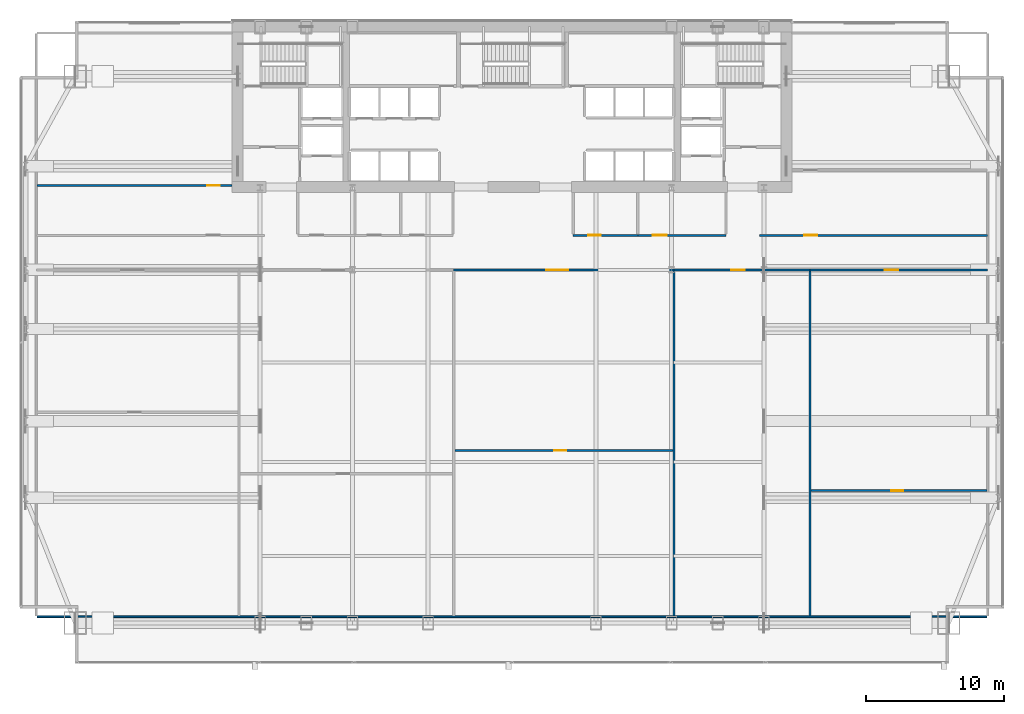
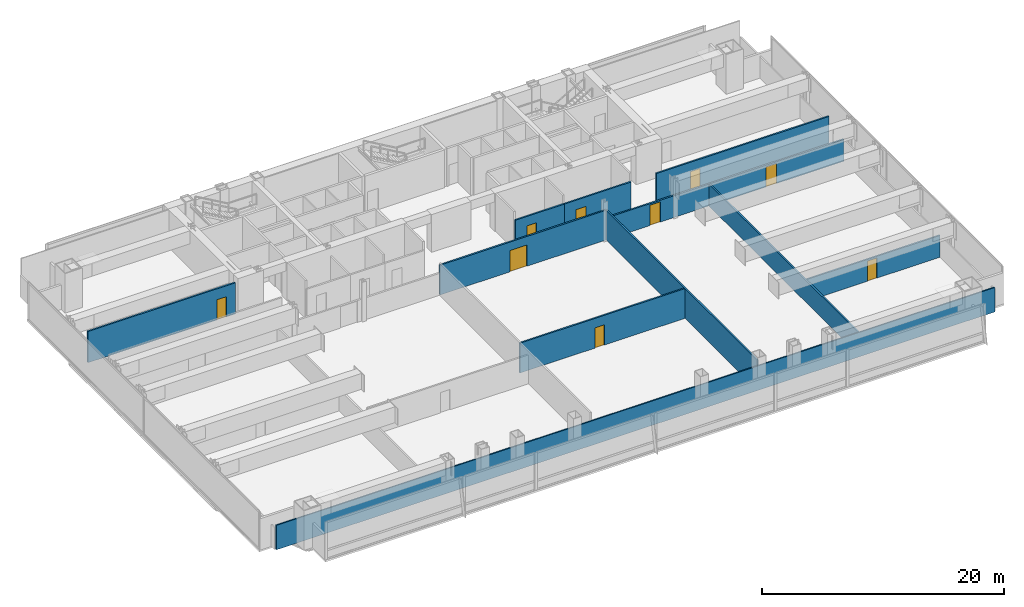
# One storey, part 27 of 32: 12 walls, 9 doors, 9 openings.
"""IFC4 building model written with IfcOpenShell, lengths in metres."""

from ifc_helpers import new_model, si_unit, direction, frame, frame_2d, origin, place, context, subcontext, project, spatial, rectangle, extrude, material, layer, layer_set, type_object, element, fill, save


model = new_model("IFC4")

# Units and contexts
model_context = context("Model", 3, precision=1e-05, world=origin(), true_north=direction((0.0, 1.0)))
body_context = subcontext(model_context, "Body", "Model", "MODEL_VIEW")
ifc_project = project(units=[si_unit("LENGTHUNIT", "METRE"), si_unit("AREAUNIT", "SQUARE_METRE"), si_unit("VOLUMEUNIT", "CUBIC_METRE"), si_unit("PLANEANGLEUNIT", "RADIAN"), si_unit("MASSUNIT", "GRAM", prefix="KILO")], contexts=[model_context])

# Site, building, storey
site_placement = place(None, origin())
site = spatial("IfcSite", under=ifc_project, at=site_placement, CompositionType="ELEMENT")
building_placement = place(site_placement, origin())
building = spatial("IfcBuilding", under=site, at=building_placement, Name="Khoronbel Lancet Exchange", CompositionType="ELEMENT")
storey_placement = place(building_placement, frame((0.0, 0.0, 77.800048828125)))
storey = spatial("IfcBuildingStorey", under=building, at=storey_placement, Name="L18", CompositionType="ELEMENT", Elevation=77.800048828125)

# Wall, opening, door
ifc_material_1 = material(Name="Acoustic Metal-Stud & Mineral-Wool Gypsum Partition 120 mm", Category="gypsum")
ifc_layer_1 = layer(ifc_material_1, 0.1201171875, Name="Acoustic Metal-Stud & Mineral-Wool Gypsum Partition 120 mm")
ifc_layer_set_1 = layer_set([ifc_layer_1], Name="Acoustic Metal-Stud & Mineral-Wool Gypsum Partition 120 mm")
wall_type_1 = type_object("IfcWallType", Name="WL-PRT120", PredefinedType="PARTITIONING", material=ifc_layer_set_1)
wall_1_placement = place(storey_placement, frame((2.094970703125, 41.800048828125, 0.0), z_axis=(0.0, 0.0, 1.0), x_axis=(1.0, 0.0, 0.0)))
wall_1 = element("IfcWall", 1, at=wall_1_placement, inside=storey, type_object=wall_type_1, Name="Level L18 interior partition PW-NW-H", PredefinedType="PARTITIONING", context=body_context, shape_type="SweptSolid", body=[
    extrude(rectangle(XDim=14.10498046875, YDim=0.14990234375, at=frame_2d((7.052490234375, 0.0))), origin(), (0.0, 0.0, 1.0), 3.159912109375),
])
opening_1_placement = place(wall_1_placement, frame((12.320068359375, 0.0, 0.0)))
opening_1 = element("IfcOpeningElement", 2, at=opening_1_placement, cuts=wall_1, Name="Opening D5", PredefinedType="OPENING", context=body_context, shape_type="SweptSolid", body=[
    extrude(rectangle(XDim=0.89990234375, YDim=2.050048828125, at=frame_2d((0.449951171875, 1.02490234375))), frame((0.0, 0.0849609375, 0.0), z_axis=(0.0, -1.0, 0.0), x_axis=(1.0, 0.0, 0.0)), (0.0, 0.0, 1.0), 0.169921875),
])
ifc_material_2 = material(Name="Acoustic Timber Pantry & Support Door", Category="wood")
door_type_1 = type_object("IfcDoorType", Name="DR-D5", OperationType="NOTDEFINED", PredefinedType="DOOR", material=ifc_material_2)
door_1_placement = place(opening_1_placement, origin())
door_1 = element("IfcDoor", 3, at=door_1_placement, inside=storey, type_object=door_type_1, Name="NW north room door L18-1", OperationType="SINGLE_SWING_LEFT", OverallHeight=2.050048828125, OverallWidth=0.89990234375, PredefinedType="DOOR", context=body_context, shape_type="SweptSolid", body=[
    extrude(rectangle(XDim=0.89990234375, YDim=2.050048828125, at=frame_2d((0.449951171875, 1.02490234375))), frame((0.0, 0.02490234375, 0.0), z_axis=(0.0, -1.0, 0.0), x_axis=(1.0, 0.0, 0.0)), (0.0, 0.0, 1.0), 0.050048828125),
])
fill(opening_1, door_1)

wall_2_placement = place(storey_placement, frame((32.31494140625, 22.63818359375, 0.0), z_axis=(0.0, 0.0, 1.0), x_axis=(1.0, 0.0, 0.0)))
wall_2 = element("IfcWall", 4, at=wall_2_placement, inside=storey, type_object=wall_type_1, Name="Level L18 interior partition PW-Z1S-H3", PredefinedType="PARTITIONING", context=body_context, shape_type="SweptSolid", body=[
    extrude(rectangle(XDim=15.78564453125, YDim=0.14990234375, at=frame_2d((7.892822265625, 0.0))), origin(), (0.0, 0.0, 1.0), 3.010009765625),
])
opening_2_placement = place(wall_2_placement, frame((7.175537109375, 0.0, 0.0)))
opening_2 = element("IfcOpeningElement", 5, at=opening_2_placement, cuts=wall_2, Name="Opening D5", PredefinedType="OPENING", context=body_context, shape_type="SweptSolid", body=[
    extrude(rectangle(XDim=0.89990234375, YDim=2.050048828125, at=frame_2d((0.449951171875, 1.02490234375))), frame((0.0, 0.0849609375, 0.0), z_axis=(0.0, -1.0, 0.0), x_axis=(1.0, 0.0, 0.0)), (0.0, 0.0, 1.0), 0.169921875),
])
door_2_placement = place(opening_2_placement, origin())
door_2 = element("IfcDoor", 6, at=door_2_placement, inside=storey, type_object=door_type_1, Name="Z1S inner door 3 L18-1", OperationType="SINGLE_SWING_LEFT", OverallHeight=2.050048828125, OverallWidth=0.89990234375, PredefinedType="DOOR", context=body_context, shape_type="SweptSolid", body=[
    extrude(rectangle(XDim=0.89990234375, YDim=2.050048828125, at=frame_2d((0.449951171875, 1.02490234375))), frame((0.0, 0.02490234375, 0.0), z_axis=(0.0, -1.0, 0.0), x_axis=(1.0, 0.0, 0.0)), (0.0, 0.0, 1.0), 0.050048828125),
])
fill(opening_2, door_2)

wall_3_placement = place(storey_placement, frame((58.0908203125, 19.72119140625, 0.0), z_axis=(0.0, 0.0, 1.0), x_axis=(1.0, 0.0, 0.0)))
wall_3 = element("IfcWall", 7, at=wall_3_placement, inside=storey, type_object=wall_type_1, Name="Level L18 interior partition PW-Z1S-H5", PredefinedType="PARTITIONING", context=body_context, shape_type="SweptSolid", body=[
    extrude(rectangle(XDim=12.714111328125, YDim=0.14990234375, at=frame_2d((6.35693359375, 0.0))), origin(), (0.0, 0.0, 1.0), 2.2099609375),
])
opening_3_placement = place(wall_3_placement, frame((5.78662109375, 0.0, 0.0)))
opening_3 = element("IfcOpeningElement", 8, at=opening_3_placement, cuts=wall_3, Name="Opening D5", PredefinedType="OPENING", context=body_context, shape_type="SweptSolid", body=[
    extrude(rectangle(XDim=0.89990234375, YDim=2.050048828125, at=frame_2d((0.449951171875, 1.02490234375))), frame((0.0, 0.0849609375, 0.0), z_axis=(0.0, -1.0, 0.0), x_axis=(1.0, 0.0, 0.0)), (0.0, 0.0, 1.0), 0.169921875),
])
door_3_placement = place(opening_3_placement, origin())
door_3 = element("IfcDoor", 9, at=door_3_placement, inside=storey, type_object=door_type_1, Name="Z1S inner door 5 L18-1", OperationType="SINGLE_SWING_RIGHT", OverallHeight=2.050048828125, OverallWidth=0.89990234375, PredefinedType="DOOR", context=body_context, shape_type="SweptSolid", body=[
    extrude(rectangle(XDim=0.89990234375, YDim=2.050048828125, at=frame_2d((0.449951171875, 1.02490234375))), frame((0.0, 0.02490234375, 0.0), z_axis=(0.0, -1.0, 0.0), x_axis=(1.0, 0.0, 0.0)), (0.0, 0.0, 1.0), 0.050048828125),
])
fill(opening_3, door_3)

# Wall
wall_4_placement = place(storey_placement, frame((2.094970703125, 10.60009765625, 0.0), z_axis=(0.0, 0.0, 1.0), x_axis=(1.0, 0.0, 0.0)))
element("IfcWall", 10, at=wall_4_placement, inside=storey, type_object=wall_type_1, Name="Level L18 interior partition PW-LIN-S", PredefinedType="PARTITIONING", context=body_context, shape_type="SweptSolid", body=[
    extrude(rectangle(XDim=68.7099609375, YDim=0.1201171875, at=frame_2d((34.35498046875, 0.0))), origin(), (0.0, 0.0, 1.0), 2.469970703125),
])

# Wall, opening, door
ifc_material_3 = material(Name="Fire-Rated Twin-Stud Acoustic Gypsum Partition 150 mm", Category="gypsum")
ifc_layer_2 = layer(ifc_material_3, 0.14990234375, Name="Fire-Rated Twin-Stud Acoustic Gypsum Partition 150 mm")
ifc_layer_set_2 = layer_set([ifc_layer_2], Name="Fire-Rated Twin-Stud Acoustic Gypsum Partition 150 mm")
wall_type_2 = type_object("IfcWallType", Name="WL-PRT150C", PredefinedType="PARTITIONING", material=ifc_layer_set_2)
wall_5_placement = place(storey_placement, frame((40.8798828125, 38.199951171875, 0.0), z_axis=(0.0, 0.0, 1.0), x_axis=(1.0, 0.0, 0.0)))
wall_5 = element("IfcWall", 11, at=wall_5_placement, inside=storey, type_object=wall_type_2, Name="Level L18 interior partition PW-NP-S1", PredefinedType="PARTITIONING", context=body_context, shape_type="SweptSolid", body=[
    extrude(rectangle(XDim=4.670166015625, YDim=0.14990234375, at=frame_2d((2.3349609375, 0.0))), origin(), (0.0, 0.0, 1.0), 3.010009765625),
])
opening_4_placement = place(wall_5_placement, frame((1.10009765625, 0.0, 0.0)))
opening_4 = element("IfcOpeningElement", 12, at=opening_4_placement, cuts=wall_5, Name="Opening D5", PredefinedType="OPENING", context=body_context, shape_type="SweptSolid", body=[
    extrude(rectangle(XDim=0.89990234375, YDim=2.050048828125, at=frame_2d((0.449951171875, 1.02490234375))), frame((0.0, 0.0849609375, 0.0), z_axis=(0.0, -1.0, 0.0), x_axis=(1.0, 0.0, 0.0)), (0.0, 0.0, 1.0), 0.169921875),
])
door_4_placement = place(opening_4_placement, origin())
door_4 = element("IfcDoor", 13, at=door_4_placement, inside=storey, type_object=door_type_1, Name="Floor refreshment pantry door L18-1", OperationType="SINGLE_SWING_LEFT", OverallHeight=2.050048828125, OverallWidth=0.89990234375, PredefinedType="DOOR", context=body_context, shape_type="SweptSolid", body=[
    extrude(rectangle(XDim=0.89990234375, YDim=2.050048828125, at=frame_2d((0.449951171875, 1.02490234375))), frame((0.0, 0.02490234375, 0.0), z_axis=(0.0, -1.0, 0.0), x_axis=(1.0, 0.0, 0.0)), (0.0, 0.0, 1.0), 0.050048828125),
])
fill(opening_4, door_4)

wall_6_placement = place(storey_placement, frame((45.550048828125, 38.199951171875, 0.0), z_axis=(0.0, 0.0, 1.0), x_axis=(1.0, 0.0, 0.0)))
wall_6 = element("IfcWall", 14, at=wall_6_placement, inside=storey, type_object=wall_type_2, Name="Level L18 interior partition PW-NP-S2", PredefinedType="PARTITIONING", context=body_context, shape_type="SweptSolid", body=[
    extrude(rectangle(XDim=6.39990234375, YDim=0.14990234375, at=frame_2d((3.199951171875, 0.0))), origin(), (0.0, 0.0, 1.0), 3.010009765625),
])
opening_5_placement = place(wall_6_placement, frame((1.10009765625, 0.0, 0.0)))
opening_5 = element("IfcOpeningElement", 15, at=opening_5_placement, cuts=wall_6, Name="Opening D2", PredefinedType="OPENING", context=body_context, shape_type="SweptSolid", body=[
    extrude(rectangle(XDim=1.0, YDim=2.050048828125, at=frame_2d((0.5, 1.02490234375))), frame((0.0, 0.0849609375, 0.0), z_axis=(0.0, -1.0, 0.0), x_axis=(1.0, 0.0, 0.0)), (0.0, 0.0, 1.0), 0.169921875),
])
ifc_material_4 = material(Name="Acoustic Veneered Timber & Bronze Frame Door", Category="wood")
door_type_2 = type_object("IfcDoorType", Name="DR-D2", OperationType="NOTDEFINED", PredefinedType="DOOR", material=ifc_material_4)
door_5_placement = place(opening_5_placement, origin())
door_5 = element("IfcDoor", 16, at=door_5_placement, inside=storey, type_object=door_type_2, Name="Floor store door L18-1", OperationType="SINGLE_SWING_RIGHT", OverallHeight=2.050048828125, OverallWidth=1.0, PredefinedType="DOOR", context=body_context, shape_type="SweptSolid", body=[
    extrude(rectangle(XDim=1.0, YDim=2.050048828125, at=frame_2d((0.5, 1.02490234375))), frame((0.0, 0.02490234375, 0.0), z_axis=(0.0, -1.0, 0.0), x_axis=(1.0, 0.0, 0.0)), (0.0, 0.0, 1.0), 0.050048828125),
])
fill(opening_5, door_5)

wall_7_placement = place(storey_placement, frame((54.35009765625, 38.199951171875, 0.0), z_axis=(0.0, 0.0, 1.0), x_axis=(1.0, 0.0, 0.0)))
wall_7 = element("IfcWall", 17, at=wall_7_placement, inside=storey, type_object=wall_type_2, Name="Level L18 interior partition PW-NE-S", PredefinedType="PARTITIONING", context=body_context, shape_type="SweptSolid", body=[
    extrude(rectangle(XDim=16.52001953125, YDim=0.14990234375, at=frame_2d((8.260009765625, 0.0))), origin(), (0.0, 0.0, 1.0), 3.010009765625),
])
opening_6_placement = place(wall_7_placement, frame((3.25, 0.0, 0.0)))
opening_6 = element("IfcOpeningElement", 18, at=opening_6_placement, cuts=wall_7, Name="Opening D1", PredefinedType="OPENING", context=body_context, shape_type="SweptSolid", body=[
    extrude(rectangle(XDim=0.949951171875, YDim=2.050048828125, at=frame_2d((0.47509765625, 1.02490234375))), frame((0.0, 0.0849609375, 0.0), z_axis=(0.0, -1.0, 0.0), x_axis=(1.0, 0.0, 0.0)), (0.0, 0.0, 1.0), 0.169921875),
])
door_type_3 = type_object("IfcDoorType", Name="DR-D1", OperationType="NOTDEFINED", PredefinedType="DOOR", material=ifc_material_4)
door_6_placement = place(opening_6_placement, origin())
door_6 = element("IfcDoor", 19, at=door_6_placement, inside=storey, type_object=door_type_3, Name="NE corner room door L18-1", OperationType="SINGLE_SWING_RIGHT", OverallHeight=2.050048828125, OverallWidth=0.949951171875, PredefinedType="DOOR", context=body_context, shape_type="SweptSolid", body=[
    extrude(rectangle(XDim=0.949951171875, YDim=2.050048828125, at=frame_2d((0.47509765625, 1.02490234375))), frame((0.0, 0.02490234375, 0.0), z_axis=(0.0, -1.0, 0.0), x_axis=(1.0, 0.0, 0.0)), (0.0, 0.0, 1.0), 0.050048828125),
])
fill(opening_6, door_6)

# Walls
wall_8_placement = place(storey_placement, frame((48.180419921875, 10.6650390625, 0.0), z_axis=(0.0, 0.0, 1.0), x_axis=(0.0, 1.0, 0.0)))
element("IfcWall", 20, at=wall_8_placement, inside=storey, type_object=wall_type_2, Name="Level L18 interior partition PW-Z1S-V3", PredefinedType="PARTITIONING", context=body_context, shape_type="SweptSolid", body=[
    extrude(rectangle(XDim=24.949951171875, YDim=0.14990234375, at=frame_2d((12.47509765625, 0.0))), origin(), (0.0, 0.0, 1.0), 3.010009765625),
])
wall_9_placement = place(storey_placement, frame((58.0107421875, 10.6650390625, 0.0), z_axis=(0.0, 0.0, 1.0), x_axis=(0.0, 1.0, 0.0)))
element("IfcWall", 21, at=wall_9_placement, inside=storey, type_object=wall_type_2, Name="Level L18 interior partition PW-Z1S-V4", PredefinedType="PARTITIONING", context=body_context, shape_type="SweptSolid", body=[
    extrude(rectangle(XDim=24.949951171875, YDim=0.14990234375, at=frame_2d((12.47509765625, 0.0))), origin(), (0.0, 0.0, 1.0), 2.2099609375),
])

# Wall, opening, door
ifc_material_5 = material(Name="Fire-Rated Twin-Stud Acoustic Gypsum Partition 160 mm", Category="gypsum")
ifc_layer_3 = layer(ifc_material_5, 0.159912109375, Name="Fire-Rated Twin-Stud Acoustic Gypsum Partition 160 mm")
ifc_layer_set_3 = layer_set([ifc_layer_3], Name="Fire-Rated Twin-Stud Acoustic Gypsum Partition 160 mm")
wall_type_3 = type_object("IfcWallType", Name="WL-PRT160C", PredefinedType="PARTITIONING", material=ifc_layer_set_3)
wall_10_placement = place(storey_placement, frame((32.235107421875, 35.699951171875, 0.0), z_axis=(0.0, 0.0, 1.0), x_axis=(1.0, 0.0, 0.0)))
wall_10 = element("IfcWall", 22, at=wall_10_placement, inside=storey, type_object=wall_type_3, Name="Level L18 interior partition PW-Z1S-COR3", PredefinedType="PARTITIONING", context=body_context, shape_type="SweptSolid", body=[
    extrude(rectangle(XDim=15.9453125, YDim=0.159912109375, at=frame_2d((7.97265625, 0.0))), origin(), (0.0, 0.0, 1.0), 3.010009765625),
])
opening_7_placement = place(wall_10_placement, frame((6.697021484375, 0.0, 0.0)))
opening_7 = element("IfcOpeningElement", 23, at=opening_7_placement, cuts=wall_10, Name="Opening D3", PredefinedType="OPENING", context=body_context, shape_type="SweptSolid", body=[
    extrude(rectangle(XDim=1.60009765625, YDim=2.14990234375, at=frame_2d((0.800048828125, 1.074951171875))), frame((0.0, 0.08984375, 0.0), z_axis=(0.0, -1.0, 0.0), x_axis=(1.0, 0.0, 0.0)), (0.0, 0.0, 1.0), 0.179931640625),
])
ifc_material_6 = material(Name="Glazed Bronze-Framed Double Suite Door", Category="aluminium")
door_type_4 = type_object("IfcDoorType", Name="DR-D3", OperationType="NOTDEFINED", PredefinedType="DOOR", material=ifc_material_6)
door_7_placement = place(opening_7_placement, origin())
door_7 = element("IfcDoor", 24, at=door_7_placement, inside=storey, type_object=door_type_4, Name="Z1S bay 3 door L18-1", OperationType="DOUBLE_DOOR_SINGLE_SWING", OverallHeight=2.14990234375, OverallWidth=1.60009765625, PredefinedType="DOOR", context=body_context, shape_type="SweptSolid", body=[
    extrude(rectangle(XDim=1.60009765625, YDim=2.14990234375, at=frame_2d((0.800048828125, 1.074951171875))), frame((0.0, 0.02490234375, 0.0), z_axis=(0.0, -1.0, 0.0), x_axis=(1.0, 0.0, 0.0)), (0.0, 0.0, 1.0), 0.050048828125),
])
fill(opening_7, door_7)

wall_11_placement = place(storey_placement, frame((48.180419921875, 35.699951171875, 0.0), z_axis=(0.0, 0.0, 1.0), x_axis=(1.0, 0.0, 0.0)))
wall_11 = element("IfcWall", 25, at=wall_11_placement, inside=storey, type_object=wall_type_3, Name="Level L18 interior partition PW-Z1S-COR4", PredefinedType="PARTITIONING", context=body_context, shape_type="SweptSolid", body=[
    extrude(rectangle(XDim=9.830322265625, YDim=0.159912109375, at=frame_2d((4.9150390625, 0.0))), origin(), (0.0, 0.0, 1.0), 2.2099609375),
])
opening_8_placement = place(wall_11_placement, frame((4.128662109375, 0.0, 0.0)))
opening_8 = element("IfcOpeningElement", 26, at=opening_8_placement, cuts=wall_11, Name="Opening D2", PredefinedType="OPENING", context=body_context, shape_type="SweptSolid", body=[
    extrude(rectangle(XDim=1.0, YDim=2.050048828125, at=frame_2d((0.5, 1.02490234375))), frame((0.0, 0.08984375, 0.0), z_axis=(0.0, -1.0, 0.0), x_axis=(1.0, 0.0, 0.0)), (0.0, 0.0, 1.0), 0.179931640625),
])
door_8_placement = place(opening_8_placement, origin())
door_8 = element("IfcDoor", 27, at=door_8_placement, inside=storey, type_object=door_type_2, Name="Z1S bay 4 door L18-1", OperationType="SINGLE_SWING_RIGHT", OverallHeight=2.050048828125, OverallWidth=1.0, PredefinedType="DOOR", context=body_context, shape_type="SweptSolid", body=[
    extrude(rectangle(XDim=1.0, YDim=2.050048828125, at=frame_2d((0.5, 1.02490234375))), frame((0.0, 0.02490234375, 0.0), z_axis=(0.0, -1.0, 0.0), x_axis=(1.0, 0.0, 0.0)), (0.0, 0.0, 1.0), 0.050048828125),
])
fill(opening_8, door_8)

wall_12_placement = place(storey_placement, frame((58.0107421875, 35.699951171875, 0.0), z_axis=(0.0, 0.0, 1.0), x_axis=(1.0, 0.0, 0.0)))
wall_12 = element("IfcWall", 28, at=wall_12_placement, inside=storey, type_object=wall_type_3, Name="Level L18 interior partition PW-Z1S-COR5", PredefinedType="PARTITIONING", context=body_context, shape_type="SweptSolid", body=[
    extrude(rectangle(XDim=12.859375, YDim=0.159912109375, at=frame_2d((6.4296875, 0.0))), origin(), (0.0, 0.0, 1.0), 2.2099609375),
])
opening_9_placement = place(wall_12_placement, frame((5.40087890625, 0.0, 0.0)))
opening_9 = element("IfcOpeningElement", 29, at=opening_9_placement, cuts=wall_12, Name="Opening D2", PredefinedType="OPENING", context=body_context, shape_type="SweptSolid", body=[
    extrude(rectangle(XDim=1.0, YDim=2.050048828125, at=frame_2d((0.5, 1.02490234375))), frame((0.0, 0.08984375, 0.0), z_axis=(0.0, -1.0, 0.0), x_axis=(1.0, 0.0, 0.0)), (0.0, 0.0, 1.0), 0.179931640625),
])
door_9_placement = place(opening_9_placement, origin())
door_9 = element("IfcDoor", 30, at=door_9_placement, inside=storey, type_object=door_type_2, Name="Z1S bay 5 door L18-1", OperationType="SINGLE_SWING_LEFT", OverallHeight=2.050048828125, OverallWidth=1.0, PredefinedType="DOOR", context=body_context, shape_type="SweptSolid", body=[
    extrude(rectangle(XDim=1.0, YDim=2.050048828125, at=frame_2d((0.5, 1.02490234375))), frame((0.0, 0.02490234375, 0.0), z_axis=(0.0, -1.0, 0.0), x_axis=(1.0, 0.0, 0.0)), (0.0, 0.0, 1.0), 0.050048828125),
])
fill(opening_9, door_9)

save(model, "model.ifc")
